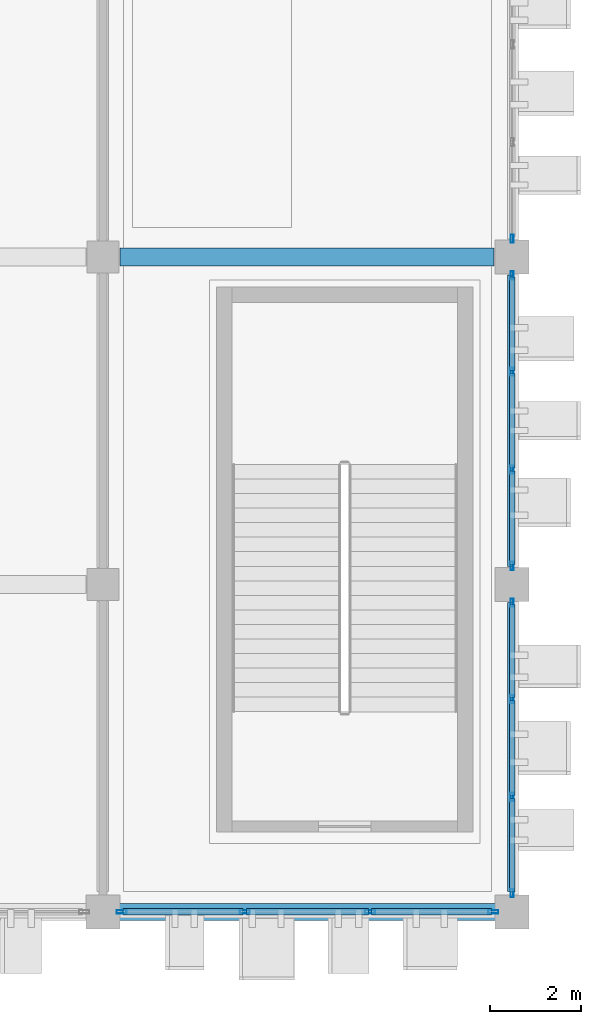
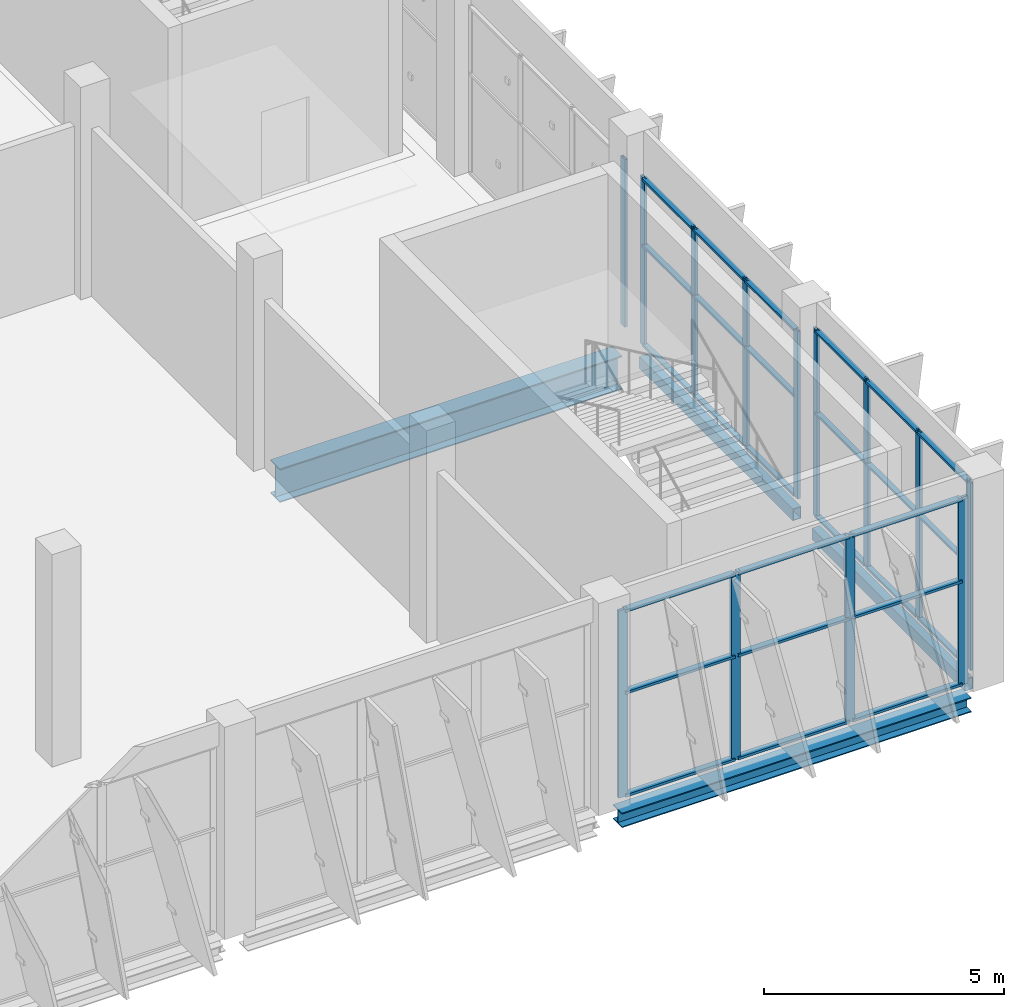
# One storey, part 63 of 189: 40 members, 4 beams, 4 elements without a shape of their own.
"""IFC4 building model written with IfcOpenShell, lengths in metres."""

from ifc_helpers import new_model, si_unit, direction, frame, origin, origin_2d, place, context, subcontext, project, spatial, hollow_rectangle, i_section, extrude, material, layer, layer_set, material_profile, profile_set, type_object, element, aggregate, save


model = new_model("IFC4")

# Units and contexts
model_context = context("Model", 3, precision=1e-05, world=origin(), true_north=direction((0.0, 1.0)))
body_context = subcontext(model_context, "Body", "Model", "MODEL_VIEW")
ifc_project = project(units=[si_unit("LENGTHUNIT", "METRE"), si_unit("AREAUNIT", "SQUARE_METRE"), si_unit("VOLUMEUNIT", "CUBIC_METRE"), si_unit("PLANEANGLEUNIT", "RADIAN"), si_unit("MASSUNIT", "GRAM", prefix="KILO")], contexts=[model_context])

# Site, building, storey
site_placement = place(None, origin())
site = spatial("IfcSite", under=ifc_project, at=site_placement, CompositionType="ELEMENT")
building_placement = place(site_placement, origin())
building = spatial("IfcBuilding", under=site, at=building_placement, Name="Celestram Park Convention Centre", CompositionType="ELEMENT")
storey_placement = place(building_placement, frame((0.0, 0.0, 5.39990234375)))
storey = spatial("IfcBuildingStorey", under=building, at=storey_placement, Name="L01", CompositionType="ELEMENT", Elevation=5.39990234375)

# Curtain wall, member
ifc_material_1 = material(Name="Anodised Aluminium Alloy 6063-T6", Category="aluminium")
ifc_layer_1 = layer(ifc_material_1, 0.179931640625)
ifc_layer_set_1 = layer_set([ifc_layer_1], Name="Anodised Aluminium Alloy 6063-T6")
curtain_wall_type_1 = type_object("IfcCurtainWallType", Name="ARC-CW-645X426", PredefinedType="NOTDEFINED", material=ifc_layer_set_1)
curtain_wall_1_placement = place(storey_placement, origin())
curtain_wall_1 = element("IfcCurtainWall", 1, at=curtain_wall_1_placement, inside=storey, type_object=curtain_wall_type_1, Name="Unitised curtain wall CU-L01-103", PredefinedType="NOTDEFINED")
ifc_material_profile_1 = material_profile(ifc_material_1, hollow_rectangle(XDim=0.06494140625, YDim=0.179931640625, WallThickness=0.00390625, at=origin_2d()), Name="ALU65X180X4")
ifc_profile_set_1 = profile_set([ifc_material_profile_1], Name="Anodised Aluminium Alloy 6063-T6")
member_type_1 = type_object("IfcMemberType", Name="ARC-CWM-150", PredefinedType="MULLION", material=ifc_profile_set_1)
member_1_placement = place(storey_placement, frame((216.0, 14.805419921875, 0.0), z_axis=(0.0, 0.0, 1.0), x_axis=(1.0, 0.0, 0.0)))
member_1 = element("IfcMember", 2, at=member_1_placement, type_object=member_type_1, Name="CW-64X42 mullion 4", PredefinedType="MULLION", context=body_context, shape_type="SweptSolid", body=[
    extrude(hollow_rectangle(XDim=0.06494140625, YDim=0.179931640625, WallThickness=0.00390625, at=origin_2d()), origin(), (0.0, 0.0, 1.0), 4.26416015625),
])
aggregate(curtain_wall_1, [member_1])

# Curtain wall, members
curtain_wall_2_placement = place(storey_placement, origin())
curtain_wall_2 = element("IfcCurtainWall", 3, at=curtain_wall_2_placement, inside=storey, type_object=curtain_wall_type_1, Name="Unitised curtain wall CU-L01-104", PredefinedType="NOTDEFINED")
member_2_placement = place(storey_placement, frame((216.0, 13.994384765625, 0.0), z_axis=(0.0, 0.0, 1.0), x_axis=(1.0, 0.0, 0.0)))
member_2 = element("IfcMember", 4, at=member_2_placement, type_object=member_type_1, Name="CW-64X42 mullion 1", PredefinedType="MULLION", context=body_context, shape_type="SweptSolid", body=[
    extrude(hollow_rectangle(XDim=0.06494140625, YDim=0.179931640625, WallThickness=0.00390625, at=origin_2d()), origin(), (0.0, 0.0, 1.0), 4.26416015625),
])
member_3_placement = place(storey_placement, frame((216.0, 11.875732421875, 0.0), z_axis=(0.0, 0.0, 1.0), x_axis=(1.0, 0.0, 0.0)))
member_3 = element("IfcMember", 5, at=member_3_placement, type_object=member_type_1, Name="CW-64X42 mullion 2", PredefinedType="MULLION", context=body_context, shape_type="SweptSolid", body=[
    extrude(hollow_rectangle(XDim=0.06494140625, YDim=0.179931640625, WallThickness=0.00390625, at=origin_2d()), origin(), (0.0, 0.0, 1.0), 4.26416015625),
])
member_4_placement = place(storey_placement, frame((216.0, 9.724365234375, 0.0), z_axis=(0.0, 0.0, 1.0), x_axis=(1.0, 0.0, 0.0)))
member_4 = element("IfcMember", 6, at=member_4_placement, type_object=member_type_1, Name="CW-64X42 mullion 3", PredefinedType="MULLION", context=body_context, shape_type="SweptSolid", body=[
    extrude(hollow_rectangle(XDim=0.06494140625, YDim=0.179931640625, WallThickness=0.00390625, at=origin_2d()), origin(), (0.0, 0.0, 1.0), 4.26416015625),
])
member_5_placement = place(storey_placement, frame((216.0, 7.60546875, 0.0), z_axis=(0.0, 0.0, 1.0), x_axis=(1.0, 0.0, 0.0)))
member_5 = element("IfcMember", 7, at=member_5_placement, type_object=member_type_1, Name="CW-64X42 mullion 4", PredefinedType="MULLION", context=body_context, shape_type="SweptSolid", body=[
    extrude(hollow_rectangle(XDim=0.06494140625, YDim=0.179931640625, WallThickness=0.00390625, at=origin_2d()), origin(), (0.0, 0.0, 1.0), 4.26416015625),
])

ifc_layer_2 = layer(ifc_material_1, 0.179931640625)
ifc_layer_set_2 = layer_set([ifc_layer_2], Name="Anodised Aluminium Alloy 6063-T6")
curtain_wall_type_2 = type_object("IfcCurtainWallType", Name="ARC-CW-645X476", PredefinedType="NOTDEFINED", material=ifc_layer_set_2)
curtain_wall_3_placement = place(storey_placement, origin())
curtain_wall_3 = element("IfcCurtainWall", 8, at=curtain_wall_3_placement, inside=storey, type_object=curtain_wall_type_2, Name="Unitised curtain wall CU-L01-105", PredefinedType="NOTDEFINED")
member_6_placement = place(storey_placement, frame((216.0, 6.79443359375, 0.0), z_axis=(0.0, 0.0, 1.0), x_axis=(1.0, 0.0, 0.0)))
member_6 = element("IfcMember", 9, at=member_6_placement, type_object=member_type_1, Name="CW-64X47 mullion 1", PredefinedType="MULLION", context=body_context, shape_type="SweptSolid", body=[
    extrude(hollow_rectangle(XDim=0.06494140625, YDim=0.179931640625, WallThickness=0.00390625, at=origin_2d()), origin(), (0.0, 0.0, 1.0), 4.76416015625),
])
member_7_placement = place(storey_placement, frame((216.0, 4.67578125, 0.0), z_axis=(0.0, 0.0, 1.0), x_axis=(1.0, 0.0, 0.0)))
member_7 = element("IfcMember", 10, at=member_7_placement, type_object=member_type_1, Name="CW-64X47 mullion 2", PredefinedType="MULLION", context=body_context, shape_type="SweptSolid", body=[
    extrude(hollow_rectangle(XDim=0.06494140625, YDim=0.179931640625, WallThickness=0.00390625, at=origin_2d()), origin(), (0.0, 0.0, 1.0), 4.76416015625),
])
member_8_placement = place(storey_placement, frame((216.0, 2.5244140625, 0.0), z_axis=(0.0, 0.0, 1.0), x_axis=(1.0, 0.0, 0.0)))
member_8 = element("IfcMember", 11, at=member_8_placement, type_object=member_type_1, Name="CW-64X47 mullion 3", PredefinedType="MULLION", context=body_context, shape_type="SweptSolid", body=[
    extrude(hollow_rectangle(XDim=0.06494140625, YDim=0.179931640625, WallThickness=0.00390625, at=origin_2d()), origin(), (0.0, 0.0, 1.0), 4.76416015625),
])
member_9_placement = place(storey_placement, frame((216.0, 0.405517578125, 0.0), z_axis=(0.0, 0.0, 1.0), x_axis=(1.0, 0.0, 0.0)))
member_9 = element("IfcMember", 12, at=member_9_placement, type_object=member_type_1, Name="CW-64X47 mullion 4", PredefinedType="MULLION", context=body_context, shape_type="SweptSolid", body=[
    extrude(hollow_rectangle(XDim=0.06494140625, YDim=0.179931640625, WallThickness=0.00390625, at=origin_2d()), origin(), (0.0, 0.0, 1.0), 4.76416015625),
])

ifc_layer_3 = layer(ifc_material_1, 0.179931640625)
ifc_layer_set_3 = layer_set([ifc_layer_3], Name="Anodised Aluminium Alloy 6063-T6")
curtain_wall_type_3 = type_object("IfcCurtainWallType", Name="ARC-CW-825X476", PredefinedType="NOTDEFINED", material=ifc_layer_set_3)
curtain_wall_4_placement = place(storey_placement, origin())
curtain_wall_4 = element("IfcCurtainWall", 13, at=curtain_wall_4_placement, inside=storey, type_object=curtain_wall_type_3, Name="Unitised curtain wall CU-L01-106", PredefinedType="NOTDEFINED")
ifc_material_profile_2 = material_profile(ifc_material_1, hollow_rectangle(XDim=0.074951171875, YDim=0.219970703125, WallThickness=0.00390625, at=origin_2d()), Name="ALU75X220X4")
ifc_profile_set_2 = profile_set([ifc_material_profile_2], Name="Anodised Aluminium Alloy 6063-T6")
member_type_2 = type_object("IfcMemberType", Name="ARC-CWM-180", PredefinedType="MULLION", material=ifc_profile_set_2)
member_10_placement = place(storey_placement, frame((215.589599609375, 0.0, 0.0), z_axis=(0.0, 0.0, 1.0), x_axis=(0.0, -1.0, 0.0)))
member_10 = element("IfcMember", 14, at=member_10_placement, type_object=member_type_2, Name="CW-82X47 mullion 1", PredefinedType="MULLION", context=body_context, shape_type="SweptSolid", body=[
    extrude(hollow_rectangle(XDim=0.074951171875, YDim=0.219970703125, WallThickness=0.00390625, at=origin_2d()), origin(), (0.0, 0.0, 1.0), 4.76416015625),
])
member_11_placement = place(storey_placement, frame((212.875732421875, 0.0, 0.0), z_axis=(0.0, 0.0, 1.0), x_axis=(0.0, -1.0, 0.0)))
member_11 = element("IfcMember", 15, at=member_11_placement, type_object=member_type_2, Name="CW-82X47 mullion 2", PredefinedType="MULLION", context=body_context, shape_type="SweptSolid", body=[
    extrude(hollow_rectangle(XDim=0.074951171875, YDim=0.219970703125, WallThickness=0.00390625, at=origin_2d()), origin(), (0.0, 0.0, 1.0), 4.76416015625),
])
member_12_placement = place(storey_placement, frame((210.124267578125, 0.0, 0.0), z_axis=(0.0, 0.0, 1.0), x_axis=(0.0, -1.0, 0.0)))
member_12 = element("IfcMember", 16, at=member_12_placement, type_object=member_type_2, Name="CW-82X47 mullion 3", PredefinedType="MULLION", context=body_context, shape_type="SweptSolid", body=[
    extrude(hollow_rectangle(XDim=0.074951171875, YDim=0.219970703125, WallThickness=0.00390625, at=origin_2d()), origin(), (0.0, 0.0, 1.0), 4.76416015625),
])
member_13_placement = place(storey_placement, frame((207.410400390625, 0.0, 0.0), z_axis=(0.0, 0.0, 1.0), x_axis=(0.0, -1.0, 0.0)))
member_13 = element("IfcMember", 17, at=member_13_placement, type_object=member_type_2, Name="CW-82X47 mullion 4", PredefinedType="MULLION", context=body_context, shape_type="SweptSolid", body=[
    extrude(hollow_rectangle(XDim=0.074951171875, YDim=0.219970703125, WallThickness=0.00390625, at=origin_2d()), origin(), (0.0, 0.0, 1.0), 4.76416015625),
])

# Member
ifc_material_profile_3 = material_profile(ifc_material_1, hollow_rectangle(XDim=0.1201171875, YDim=0.06005859375, WallThickness=0.0029296875, at=origin_2d()), Name="ALU120X60X3")
ifc_profile_set_3 = profile_set([ifc_material_profile_3], Name="Anodised Aluminium Alloy 6063-T6")
member_type_3 = type_object("IfcMemberType", Name="ARC-CWT-120", PredefinedType="USERDEFINED", material=ifc_profile_set_3)
member_14_placement = place(storey_placement, frame((216.0, 13.9619140625, 0.030029296875), z_axis=(0.0, -1.0, 0.0), x_axis=(1.0, 0.0, 0.0)))
member_14 = element("IfcMember", 18, at=member_14_placement, type_object=member_type_3, Name="CW-64X42 transom 1.1", ObjectType="TRANSOM", PredefinedType="USERDEFINED", context=body_context, shape_type="SweptSolid", body=[
    extrude(hollow_rectangle(XDim=0.1201171875, YDim=0.06005859375, WallThickness=0.0029296875, at=origin_2d()), origin(), (0.0, 0.0, 1.0), 2.0537109375),
])

member_15_placement = place(storey_placement, frame((216.0, 13.9619140625, 2.55810546875), z_axis=(0.0, -1.0, 0.0), x_axis=(1.0, 0.0, 0.0)))
member_15 = element("IfcMember", 19, at=member_15_placement, type_object=member_type_3, Name="CW-64X42 transom 1.2", ObjectType="TRANSOM", PredefinedType="USERDEFINED", context=body_context, shape_type="SweptSolid", body=[
    extrude(hollow_rectangle(XDim=0.1201171875, YDim=0.06005859375, WallThickness=0.0029296875, at=origin_2d()), origin(), (0.0, 0.0, 1.0), 2.0537109375),
])

member_16_placement = place(storey_placement, frame((216.0, 13.9619140625, 4.234130859375), z_axis=(0.0, -1.0, 0.0), x_axis=(1.0, 0.0, 0.0)))
member_16 = element("IfcMember", 20, at=member_16_placement, type_object=member_type_3, Name="CW-64X42 transom 1.3", ObjectType="TRANSOM", PredefinedType="USERDEFINED", context=body_context, shape_type="SweptSolid", body=[
    extrude(hollow_rectangle(XDim=0.1201171875, YDim=0.06005859375, WallThickness=0.0029296875, at=origin_2d()), origin(), (0.0, 0.0, 1.0), 2.0537109375),
])

member_17_placement = place(storey_placement, frame((216.0, 11.84326171875, 0.030029296875), z_axis=(0.0, -1.0, 0.0), x_axis=(1.0, 0.0, 0.0)))
member_17 = element("IfcMember", 21, at=member_17_placement, type_object=member_type_3, Name="CW-64X42 transom 2.1", ObjectType="TRANSOM", PredefinedType="USERDEFINED", context=body_context, shape_type="SweptSolid", body=[
    extrude(hollow_rectangle(XDim=0.1201171875, YDim=0.06005859375, WallThickness=0.0029296875, at=origin_2d()), origin(), (0.0, 0.0, 1.0), 2.08642578125),
])

member_18_placement = place(storey_placement, frame((216.0, 11.84326171875, 2.55810546875), z_axis=(0.0, -1.0, 0.0), x_axis=(1.0, 0.0, 0.0)))
member_18 = element("IfcMember", 22, at=member_18_placement, type_object=member_type_3, Name="CW-64X42 transom 2.2", ObjectType="TRANSOM", PredefinedType="USERDEFINED", context=body_context, shape_type="SweptSolid", body=[
    extrude(hollow_rectangle(XDim=0.1201171875, YDim=0.06005859375, WallThickness=0.0029296875, at=origin_2d()), origin(), (0.0, 0.0, 1.0), 2.08642578125),
])

member_19_placement = place(storey_placement, frame((216.0, 11.84326171875, 4.234130859375), z_axis=(0.0, -1.0, 0.0), x_axis=(1.0, 0.0, 0.0)))
member_19 = element("IfcMember", 23, at=member_19_placement, type_object=member_type_3, Name="CW-64X42 transom 2.3", ObjectType="TRANSOM", PredefinedType="USERDEFINED", context=body_context, shape_type="SweptSolid", body=[
    extrude(hollow_rectangle(XDim=0.1201171875, YDim=0.06005859375, WallThickness=0.0029296875, at=origin_2d()), origin(), (0.0, 0.0, 1.0), 2.08642578125),
])

member_20_placement = place(storey_placement, frame((216.0, 9.69189453125, 0.030029296875), z_axis=(0.0, -1.0, 0.0), x_axis=(1.0, 0.0, 0.0)))
member_20 = element("IfcMember", 24, at=member_20_placement, type_object=member_type_3, Name="CW-64X42 transom 3.1", ObjectType="TRANSOM", PredefinedType="USERDEFINED", context=body_context, shape_type="SweptSolid", body=[
    extrude(hollow_rectangle(XDim=0.1201171875, YDim=0.06005859375, WallThickness=0.0029296875, at=origin_2d()), origin(), (0.0, 0.0, 1.0), 2.053955078125),
])

member_21_placement = place(storey_placement, frame((216.0, 9.69189453125, 2.55810546875), z_axis=(0.0, -1.0, 0.0), x_axis=(1.0, 0.0, 0.0)))
member_21 = element("IfcMember", 25, at=member_21_placement, type_object=member_type_3, Name="CW-64X42 transom 3.2", ObjectType="TRANSOM", PredefinedType="USERDEFINED", context=body_context, shape_type="SweptSolid", body=[
    extrude(hollow_rectangle(XDim=0.1201171875, YDim=0.06005859375, WallThickness=0.0029296875, at=origin_2d()), origin(), (0.0, 0.0, 1.0), 2.053955078125),
])

member_22_placement = place(storey_placement, frame((216.0, 9.69189453125, 4.234130859375), z_axis=(0.0, -1.0, 0.0), x_axis=(1.0, 0.0, 0.0)))
member_22 = element("IfcMember", 26, at=member_22_placement, type_object=member_type_3, Name="CW-64X42 transom 3.3", ObjectType="TRANSOM", PredefinedType="USERDEFINED", context=body_context, shape_type="SweptSolid", body=[
    extrude(hollow_rectangle(XDim=0.1201171875, YDim=0.06005859375, WallThickness=0.0029296875, at=origin_2d()), origin(), (0.0, 0.0, 1.0), 2.053955078125),
])

aggregate(curtain_wall_2, [member_2, member_3, member_4, member_5, member_14, member_15, member_16, member_17, member_18, member_19, member_20, member_21, member_22])

member_23_placement = place(storey_placement, frame((216.0, 6.761962890625, 0.030029296875), z_axis=(0.0, -1.0, 0.0), x_axis=(1.0, 0.0, 0.0)))
member_23 = element("IfcMember", 27, at=member_23_placement, type_object=member_type_3, Name="CW-64X47 transom 1.1", ObjectType="TRANSOM", PredefinedType="USERDEFINED", context=body_context, shape_type="SweptSolid", body=[
    extrude(hollow_rectangle(XDim=0.1201171875, YDim=0.06005859375, WallThickness=0.0029296875, at=origin_2d()), origin(), (0.0, 0.0, 1.0), 2.0537109375),
])

member_24_placement = place(storey_placement, frame((216.0, 6.761962890625, 2.650146484375), z_axis=(0.0, -1.0, 0.0), x_axis=(1.0, 0.0, 0.0)))
member_24 = element("IfcMember", 28, at=member_24_placement, type_object=member_type_3, Name="CW-64X47 transom 1.2", ObjectType="TRANSOM", PredefinedType="USERDEFINED", context=body_context, shape_type="SweptSolid", body=[
    extrude(hollow_rectangle(XDim=0.1201171875, YDim=0.06005859375, WallThickness=0.0029296875, at=origin_2d()), origin(), (0.0, 0.0, 1.0), 2.0537109375),
])

member_25_placement = place(storey_placement, frame((216.0, 6.761962890625, 4.734130859375), z_axis=(0.0, -1.0, 0.0), x_axis=(1.0, 0.0, 0.0)))
member_25 = element("IfcMember", 29, at=member_25_placement, type_object=member_type_3, Name="CW-64X47 transom 1.3", ObjectType="TRANSOM", PredefinedType="USERDEFINED", context=body_context, shape_type="SweptSolid", body=[
    extrude(hollow_rectangle(XDim=0.1201171875, YDim=0.06005859375, WallThickness=0.0029296875, at=origin_2d()), origin(), (0.0, 0.0, 1.0), 2.0537109375),
])

member_26_placement = place(storey_placement, frame((216.0, 4.64306640625, 0.030029296875), z_axis=(0.0, -1.0, 0.0), x_axis=(1.0, 0.0, 0.0)))
member_26 = element("IfcMember", 30, at=member_26_placement, type_object=member_type_3, Name="CW-64X47 transom 2.1", ObjectType="TRANSOM", PredefinedType="USERDEFINED", context=body_context, shape_type="SweptSolid", body=[
    extrude(hollow_rectangle(XDim=0.1201171875, YDim=0.06005859375, WallThickness=0.0029296875, at=origin_2d()), origin(), (0.0, 0.0, 1.0), 2.086181640625),
])

member_27_placement = place(storey_placement, frame((216.0, 4.64306640625, 2.650146484375), z_axis=(0.0, -1.0, 0.0), x_axis=(1.0, 0.0, 0.0)))
member_27 = element("IfcMember", 31, at=member_27_placement, type_object=member_type_3, Name="CW-64X47 transom 2.2", ObjectType="TRANSOM", PredefinedType="USERDEFINED", context=body_context, shape_type="SweptSolid", body=[
    extrude(hollow_rectangle(XDim=0.1201171875, YDim=0.06005859375, WallThickness=0.0029296875, at=origin_2d()), origin(), (0.0, 0.0, 1.0), 2.086181640625),
])

member_28_placement = place(storey_placement, frame((216.0, 4.64306640625, 4.734130859375), z_axis=(0.0, -1.0, 0.0), x_axis=(1.0, 0.0, 0.0)))
member_28 = element("IfcMember", 32, at=member_28_placement, type_object=member_type_3, Name="CW-64X47 transom 2.3", ObjectType="TRANSOM", PredefinedType="USERDEFINED", context=body_context, shape_type="SweptSolid", body=[
    extrude(hollow_rectangle(XDim=0.1201171875, YDim=0.06005859375, WallThickness=0.0029296875, at=origin_2d()), origin(), (0.0, 0.0, 1.0), 2.086181640625),
])

member_29_placement = place(storey_placement, frame((216.0, 2.491943359375, 0.030029296875), z_axis=(0.0, -1.0, 0.0), x_axis=(1.0, 0.0, 0.0)))
member_29 = element("IfcMember", 33, at=member_29_placement, type_object=member_type_3, Name="CW-64X47 transom 3.1", ObjectType="TRANSOM", PredefinedType="USERDEFINED", context=body_context, shape_type="SweptSolid", body=[
    extrude(hollow_rectangle(XDim=0.1201171875, YDim=0.06005859375, WallThickness=0.0029296875, at=origin_2d()), origin(), (0.0, 0.0, 1.0), 2.053955078125),
])

member_30_placement = place(storey_placement, frame((216.0, 2.491943359375, 2.650146484375), z_axis=(0.0, -1.0, 0.0), x_axis=(1.0, 0.0, 0.0)))
member_30 = element("IfcMember", 34, at=member_30_placement, type_object=member_type_3, Name="CW-64X47 transom 3.2", ObjectType="TRANSOM", PredefinedType="USERDEFINED", context=body_context, shape_type="SweptSolid", body=[
    extrude(hollow_rectangle(XDim=0.1201171875, YDim=0.06005859375, WallThickness=0.0029296875, at=origin_2d()), origin(), (0.0, 0.0, 1.0), 2.053955078125),
])

member_31_placement = place(storey_placement, frame((216.0, 2.491943359375, 4.734130859375), z_axis=(0.0, -1.0, 0.0), x_axis=(1.0, 0.0, 0.0)))
member_31 = element("IfcMember", 35, at=member_31_placement, type_object=member_type_3, Name="CW-64X47 transom 3.3", ObjectType="TRANSOM", PredefinedType="USERDEFINED", context=body_context, shape_type="SweptSolid", body=[
    extrude(hollow_rectangle(XDim=0.1201171875, YDim=0.06005859375, WallThickness=0.0029296875, at=origin_2d()), origin(), (0.0, 0.0, 1.0), 2.053955078125),
])

aggregate(curtain_wall_3, [member_6, member_7, member_8, member_9, member_23, member_24, member_25, member_26, member_27, member_28, member_29, member_30, member_31])

ifc_material_profile_4 = material_profile(ifc_material_1, hollow_rectangle(XDim=0.14990234375, YDim=0.06494140625, WallThickness=0.0029296875, at=origin_2d()), Name="ALU150X65X3")
ifc_profile_set_4 = profile_set([ifc_material_profile_4], Name="Anodised Aluminium Alloy 6063-T6")
member_type_4 = type_object("IfcMemberType", Name="ARC-CWT-150", PredefinedType="USERDEFINED", material=ifc_profile_set_4)
member_32_placement = place(storey_placement, frame((215.552001953125, 0.0, 0.03271484375), z_axis=(-1.0, 0.0, 0.0), x_axis=(0.0, -1.0, 0.0)))
member_32 = element("IfcMember", 36, at=member_32_placement, type_object=member_type_4, Name="CW-82X47 transom 1.1", ObjectType="TRANSOM", PredefinedType="USERDEFINED", context=body_context, shape_type="SweptSolid", body=[
    extrude(hollow_rectangle(XDim=0.14990234375, YDim=0.06494140625, WallThickness=0.0029296875, at=origin_2d()), origin(), (0.0, 0.0, 1.0), 2.638916015625),
])

member_33_placement = place(storey_placement, frame((215.552001953125, 0.0, 2.650146484375), z_axis=(-1.0, 0.0, 0.0), x_axis=(0.0, -1.0, 0.0)))
member_33 = element("IfcMember", 37, at=member_33_placement, type_object=member_type_4, Name="CW-82X47 transom 1.2", ObjectType="TRANSOM", PredefinedType="USERDEFINED", context=body_context, shape_type="SweptSolid", body=[
    extrude(hollow_rectangle(XDim=0.14990234375, YDim=0.06494140625, WallThickness=0.0029296875, at=origin_2d()), origin(), (0.0, 0.0, 1.0), 2.638916015625),
])

member_34_placement = place(storey_placement, frame((215.552001953125, 0.0, 4.731689453125), z_axis=(-1.0, 0.0, 0.0), x_axis=(0.0, -1.0, 0.0)))
member_34 = element("IfcMember", 38, at=member_34_placement, type_object=member_type_4, Name="CW-82X47 transom 1.3", ObjectType="TRANSOM", PredefinedType="USERDEFINED", context=body_context, shape_type="SweptSolid", body=[
    extrude(hollow_rectangle(XDim=0.14990234375, YDim=0.06494140625, WallThickness=0.0029296875, at=origin_2d()), origin(), (0.0, 0.0, 1.0), 2.638916015625),
])

member_35_placement = place(storey_placement, frame((212.838134765625, 0.0, 0.03271484375), z_axis=(-1.0, 0.0, 0.0), x_axis=(0.0, -1.0, 0.0)))
member_35 = element("IfcMember", 39, at=member_35_placement, type_object=member_type_4, Name="CW-82X47 transom 2.1", ObjectType="TRANSOM", PredefinedType="USERDEFINED", context=body_context, shape_type="SweptSolid", body=[
    extrude(hollow_rectangle(XDim=0.14990234375, YDim=0.06494140625, WallThickness=0.0029296875, at=origin_2d()), origin(), (0.0, 0.0, 1.0), 2.67626953125),
])

member_36_placement = place(storey_placement, frame((212.838134765625, 0.0, 2.650146484375), z_axis=(-1.0, 0.0, 0.0), x_axis=(0.0, -1.0, 0.0)))
member_36 = element("IfcMember", 40, at=member_36_placement, type_object=member_type_4, Name="CW-82X47 transom 2.2", ObjectType="TRANSOM", PredefinedType="USERDEFINED", context=body_context, shape_type="SweptSolid", body=[
    extrude(hollow_rectangle(XDim=0.14990234375, YDim=0.06494140625, WallThickness=0.0029296875, at=origin_2d()), origin(), (0.0, 0.0, 1.0), 2.67626953125),
])

member_37_placement = place(storey_placement, frame((212.838134765625, 0.0, 4.731689453125), z_axis=(-1.0, 0.0, 0.0), x_axis=(0.0, -1.0, 0.0)))
member_37 = element("IfcMember", 41, at=member_37_placement, type_object=member_type_4, Name="CW-82X47 transom 2.3", ObjectType="TRANSOM", PredefinedType="USERDEFINED", context=body_context, shape_type="SweptSolid", body=[
    extrude(hollow_rectangle(XDim=0.14990234375, YDim=0.06494140625, WallThickness=0.0029296875, at=origin_2d()), origin(), (0.0, 0.0, 1.0), 2.67626953125),
])

member_38_placement = place(storey_placement, frame((210.0869140625, 0.0, 0.03271484375), z_axis=(-1.0, 0.0, 0.0), x_axis=(0.0, -1.0, 0.0)))
member_38 = element("IfcMember", 42, at=member_38_placement, type_object=member_type_4, Name="CW-82X47 transom 3.1", ObjectType="TRANSOM", PredefinedType="USERDEFINED", context=body_context, shape_type="SweptSolid", body=[
    extrude(hollow_rectangle(XDim=0.14990234375, YDim=0.06494140625, WallThickness=0.0029296875, at=origin_2d()), origin(), (0.0, 0.0, 1.0), 2.638916015625),
])

member_39_placement = place(storey_placement, frame((210.0869140625, 0.0, 2.650146484375), z_axis=(-1.0, 0.0, 0.0), x_axis=(0.0, -1.0, 0.0)))
member_39 = element("IfcMember", 43, at=member_39_placement, type_object=member_type_4, Name="CW-82X47 transom 3.2", ObjectType="TRANSOM", PredefinedType="USERDEFINED", context=body_context, shape_type="SweptSolid", body=[
    extrude(hollow_rectangle(XDim=0.14990234375, YDim=0.06494140625, WallThickness=0.0029296875, at=origin_2d()), origin(), (0.0, 0.0, 1.0), 2.638916015625),
])

member_40_placement = place(storey_placement, frame((210.0869140625, 0.0, 4.731689453125), z_axis=(-1.0, 0.0, 0.0), x_axis=(0.0, -1.0, 0.0)))
member_40 = element("IfcMember", 44, at=member_40_placement, type_object=member_type_4, Name="CW-82X47 transom 3.3", ObjectType="TRANSOM", PredefinedType="USERDEFINED", context=body_context, shape_type="SweptSolid", body=[
    extrude(hollow_rectangle(XDim=0.14990234375, YDim=0.06494140625, WallThickness=0.0029296875, at=origin_2d()), origin(), (0.0, 0.0, 1.0), 2.638916015625),
])

aggregate(curtain_wall_4, [member_10, member_11, member_12, member_13, member_32, member_33, member_34, member_35, member_36, member_37, member_38, member_39, member_40])

# Beams
ifc_material_2 = material(Name="Steel ASTM A992 Grade 50", Category="steel")
ifc_material_profile_5 = material_profile(ifc_material_2, i_section(OverallWidth=0.40087890625, OverallDepth=0.85595703125, WebThickness=0.018310546875, FlangeThickness=0.029296875, at=origin_2d()), Name="W33X201")
ifc_profile_set_5 = profile_set([ifc_material_profile_5], Name="Steel ASTM A992 Grade 50")
beam_type_1 = type_object("IfcBeamType", Name="STR-BM-W33X201", PredefinedType="BEAM", material=ifc_profile_set_5)
beam_1_placement = place(storey_placement, frame((207.373046875, 14.39990234375, -0.7080078125), z_axis=(1.0, 0.0, 0.0), x_axis=(0.0, 1.0, 0.0)))
element("IfcBeam", 45, at=beam_1_placement, inside=storey, type_object=beam_type_1, Name="Primary X-girder BG-L01-0515", PredefinedType="BEAM", context=body_context, shape_type="SweptSolid", body=[
    extrude(i_section(OverallWidth=0.40087890625, OverallDepth=0.85595703125, WebThickness=0.018310546875, FlangeThickness=0.029296875, at=origin_2d()), origin(), (0.0, 0.0, 1.0), 8.22900390625),
])
ifc_material_3 = material(Name="Steel ASTM A500 Grade C", Category="steel")
ifc_material_profile_6 = material_profile(ifc_material_3, hollow_rectangle(XDim=0.199951171875, YDim=0.300048828125, WallThickness=0.011962890625, at=origin_2d()), Name="HSS300X200X12")
ifc_profile_set_6 = profile_set([ifc_material_profile_6], Name="Steel ASTM A500 Grade C")
beam_type_2 = type_object("IfcBeamType", Name="STR-SPN-HSS300X200", PredefinedType="SPANDREL", material=ifc_profile_set_6)
beam_2_placement = place(storey_placement, frame((216.0, 0.447998046875, -0.429931640625), z_axis=(0.0, 1.0, 0.0), x_axis=(-1.0, 0.0, 0.0)))
element("IfcBeam", 46, at=beam_2_placement, inside=storey, type_object=beam_type_2, Name="Primary Y-girder BG-L01-0533", PredefinedType="SPANDREL", context=body_context, shape_type="SweptSolid", body=[
    extrude(hollow_rectangle(XDim=0.199951171875, YDim=0.300048828125, WallThickness=0.011962890625, at=origin_2d()), origin(), (0.0, 0.0, 1.0), 6.35400390625),
])
beam_3_placement = place(storey_placement, frame((216.0, 7.597900390625, -0.429931640625), z_axis=(0.0, 1.0, 0.0), x_axis=(-1.0, 0.0, 0.0)))
element("IfcBeam", 47, at=beam_3_placement, inside=storey, type_object=beam_type_2, Name="Primary Y-girder BG-L01-0534", PredefinedType="SPANDREL", context=body_context, shape_type="SweptSolid", body=[
    extrude(hollow_rectangle(XDim=0.199951171875, YDim=0.300048828125, WallThickness=0.011962890625, at=origin_2d()), origin(), (0.0, 0.0, 1.0), 6.404052734375),
])
ifc_material_profile_7 = material_profile(ifc_material_2, i_section(OverallWidth=0.373046875, OverallDepth=0.373046875, WebThickness=0.016357421875, FlangeThickness=0.026123046875, at=origin_2d()), Name="W14X132")
ifc_profile_set_7 = profile_set([ifc_material_profile_7], Name="Steel ASTM A992 Grade 50")
beam_type_3 = type_object("IfcBeamType", Name="STR-SPN-W14X132", PredefinedType="SPANDREL", material=ifc_profile_set_7)
beam_4_placement = place(storey_placement, frame((207.298095703125, 0.0, -0.46630859375), z_axis=(1.0, 0.0, 0.0), x_axis=(0.0, 1.0, 0.0)))
element("IfcBeam", 48, at=beam_4_placement, inside=storey, type_object=beam_type_3, Name="Primary X-girder BG-L01-0512", PredefinedType="SPANDREL", context=body_context, shape_type="SweptSolid", body=[
    extrude(i_section(OverallWidth=0.373046875, OverallDepth=0.373046875, WebThickness=0.016357421875, FlangeThickness=0.026123046875, at=origin_2d()), origin(), (0.0, 0.0, 1.0), 8.40380859375),
])

save(model, "model.ifc")
